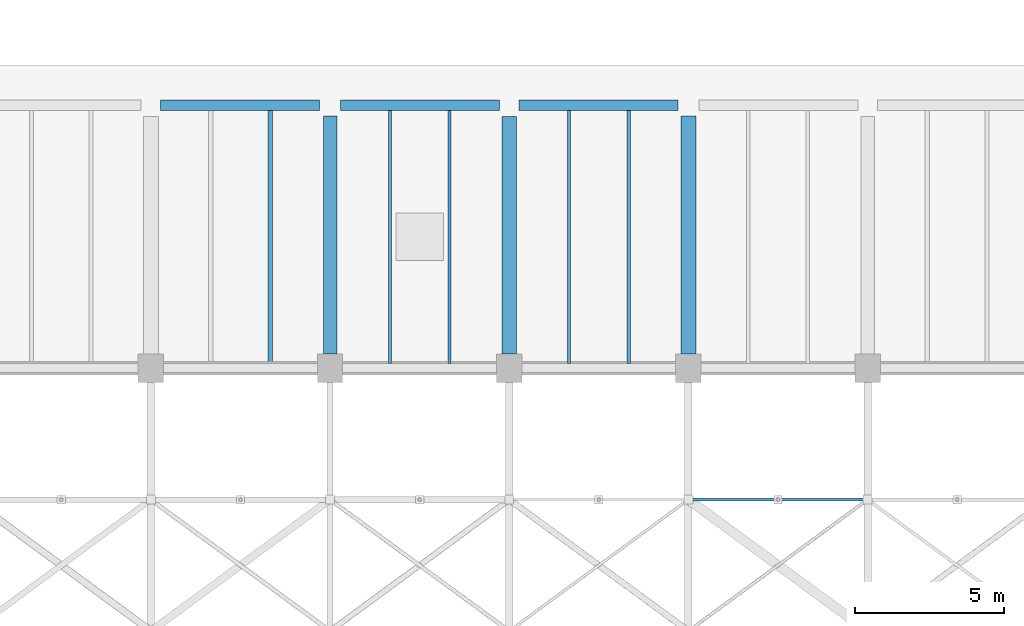
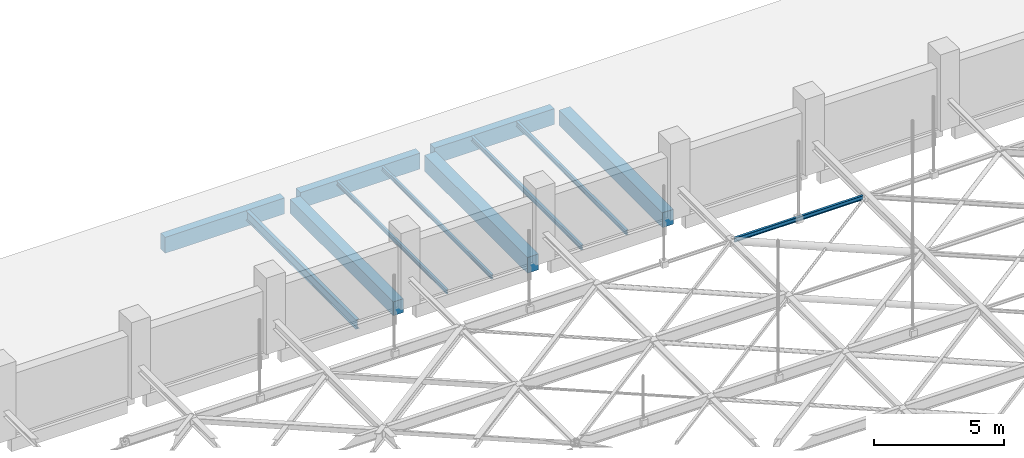
# One storey, part 53 of 93: 12 beams.
"""IFC4 building model written with IfcOpenShell, lengths in metres."""

from ifc_helpers import new_model, si_unit, direction, frame, origin, origin_2d, place, context, subcontext, project, spatial, rectangle, i_section, extrude, material, material_profile, profile_set, type_object, element, save


model = new_model("IFC4")

# Units and contexts
model_context = context("Model", 3, precision=1e-05, world=origin(), true_north=direction((0.0, 1.0)))
body_context = subcontext(model_context, "Body", "Model", "MODEL_VIEW")
ifc_project = project(units=[si_unit("LENGTHUNIT", "METRE"), si_unit("AREAUNIT", "SQUARE_METRE"), si_unit("VOLUMEUNIT", "CUBIC_METRE"), si_unit("PLANEANGLEUNIT", "RADIAN"), si_unit("MASSUNIT", "GRAM", prefix="KILO")], contexts=[model_context])

# Site, building, storey
site_placement = place(None, origin())
site = spatial("IfcSite", under=ifc_project, at=site_placement, CompositionType="ELEMENT")
building_placement = place(site_placement, origin())
building = spatial("IfcBuilding", under=site, at=building_placement, Name="Varnakota Cinema and Media Centre", CompositionType="ELEMENT")
storey_placement = place(building_placement, frame((0.0, 0.0, 12.0)))
storey = spatial("IfcBuildingStorey", under=building, at=storey_placement, Name="L03", CompositionType="ELEMENT", Elevation=12.0)

# Beams
ifc_material_1 = material(Name="Concrete M35", Category="concrete")
ifc_material_profile_1 = material_profile(ifc_material_1, rectangle(XDim=0.449951171875, YDim=0.64990234375, at=origin_2d()), Name="RCB 450x650")
ifc_profile_set_1 = profile_set([ifc_material_profile_1], Name="Concrete M35")
beam_type_1 = type_object("IfcBeamType", Name="BM-RC-450x650", PredefinedType="BEAM", material=ifc_profile_set_1)
beam_1_placement = place(storey_placement, frame((99.0, 35.675048828125, -0.5849609375), z_axis=(0.0, 1.0, 0.0), x_axis=(-1.0, 0.0, 0.0)))
element("IfcBeam", 1, at=beam_1_placement, inside=storey, type_object=beam_type_1, Name="L03 girder P/5-6", PredefinedType="BEAM", context=body_context, shape_type="SweptSolid", body=[
    extrude(rectangle(XDim=0.449951171875, YDim=0.64990234375, at=origin_2d()), origin(), (0.0, 0.0, 1.0), 7.974853515625),
])
ifc_material_2 = material(Name="Concrete M35", Category="concrete")
ifc_material_profile_2 = material_profile(ifc_material_2, rectangle(XDim=0.5, YDim=0.699951171875, at=origin_2d()), Name="RCB 500x700")
ifc_profile_set_2 = profile_set([ifc_material_profile_2], Name="Concrete M35")
beam_type_2 = type_object("IfcBeamType", Name="BM-RC-500x700", PredefinedType="BEAM", material=ifc_profile_set_2)
beam_2_placement = place(storey_placement, frame((111.0, 35.675048828125, -0.610107421875), z_axis=(0.0, 1.0, 0.0), x_axis=(-1.0, 0.0, 0.0)))
element("IfcBeam", 2, at=beam_2_placement, inside=storey, type_object=beam_type_2, Name="L03 girder R/5-6", PredefinedType="BEAM", context=body_context, shape_type="SweptSolid", body=[
    extrude(rectangle(XDim=0.5, YDim=0.699951171875, at=origin_2d()), origin(), (0.0, 0.0, 1.0), 7.974853515625),
])
ifc_material_3 = material(Name="Concrete M35", Category="concrete")
ifc_material_profile_3 = material_profile(ifc_material_3, rectangle(XDim=0.5, YDim=0.75, at=origin_2d()), Name="RCB 500x750")
ifc_profile_set_3 = profile_set([ifc_material_profile_3], Name="Concrete M35")
beam_type_3 = type_object("IfcBeamType", Name="BM-RC-500x750", PredefinedType="BEAM", material=ifc_profile_set_3)
beam_3_placement = place(storey_placement, frame((105.0, 35.675048828125, -0.635009765625), z_axis=(0.0, 1.0, 0.0), x_axis=(-1.0, 0.0, 0.0)))
element("IfcBeam", 3, at=beam_3_placement, inside=storey, type_object=beam_type_3, Name="L03 girder Q/5-6", PredefinedType="BEAM", context=body_context, shape_type="SweptSolid", body=[
    extrude(rectangle(XDim=0.5, YDim=0.75, at=origin_2d()), origin(), (0.0, 0.0, 1.0), 7.949951171875),
])
ifc_material_4 = material(Name="Concrete M40", Category="concrete")
ifc_material_profile_4 = material_profile(ifc_material_4, rectangle(XDim=0.35009765625, YDim=0.75, at=origin_2d()), Name="RCB 350x750")
ifc_profile_set_4 = profile_set([ifc_material_profile_4], Name="Concrete M40")
beam_type_4 = type_object("IfcBeamType", Name="BM-SP-350x750", PredefinedType="SPANDREL", material=ifc_profile_set_4)
for number, where, z_axis, x_axis, name in (
    (4, (93.324951171875, 44.0, -0.635009765625), (1.0, 0.0, 0.0), (0.0, 1.0, 0.0), "L03 girder N-P/6"),
    (5, (99.35009765625, 44.0, -0.635009765625), (1.0, 0.0, 0.0), (0.0, 1.0, 0.0), "L03 girder P-Q/6"),
    (6, (105.324951171875, 44.0, -0.635009765625), (1.0, 0.0, 0.0), (0.0, 1.0, 0.0), "L03 girder Q-R/6"),
):
    element("IfcBeam", number, at=place(storey_placement, frame(where, z_axis=z_axis, x_axis=x_axis)), inside=storey, type_object=beam_type_4, Name=name, PredefinedType="SPANDREL", context=body_context, shape_type="SweptSolid", body=[
        extrude(rectangle(XDim=0.35009765625, YDim=0.75, at=origin_2d()), origin(), (0.0, 0.0, 1.0), 5.324951171875),
    ])
ifc_material_5 = material(Name="Structural steel Grade 350 (E350)", Category="steel")
ifc_material_profile_5 = material_profile(ifc_material_5, i_section(OverallWidth=0.10009765625, OverallDepth=0.199951171875, WebThickness=0.005615234375, FlangeThickness=0.0107421875, FilletRadius=0.010986328125, at=origin_2d()), Name="ISMB 200")
ifc_profile_set_5 = profile_set([ifc_material_profile_5], Name="Structural steel Grade 350 (E350)")
beam_type_5 = type_object("IfcBeamType", Name="BM-ST-ISMB200", PredefinedType="JOIST", material=ifc_profile_set_5)
for number, where, z_axis, x_axis, name in (
    (7, (101.0, 35.35009765625, -0.360107421875), (0.0, 1.0, 0.0), (-1.0, 0.0, 0.0), "L03 steel joist P-Q/5-6 #1"),
    (8, (103.0, 35.35009765625, -0.360107421875), (0.0, 1.0, 0.0), (-1.0, 0.0, 0.0), "L03 steel joist P-Q/5-6 #2"),
):
    element("IfcBeam", number, at=place(storey_placement, frame(where, z_axis=z_axis, x_axis=x_axis)), inside=storey, type_object=beam_type_5, Name=name, PredefinedType="JOIST", context=body_context, shape_type="SweptSolid", body=[
        extrude(i_section(OverallWidth=0.10009765625, OverallDepth=0.199951171875, WebThickness=0.005615234375, FlangeThickness=0.0107421875, FilletRadius=0.010986328125, at=origin_2d()), origin(), (0.0, 0.0, 1.0), 8.474853515625),
    ])
beam_4_placement = place(storey_placement, frame((111.139892578125, 30.800048828125, 1.300048828125), z_axis=(1.0, 0.0, 0.0), x_axis=(0.0, 1.0, 0.0)))
element("IfcBeam", 9, at=beam_4_placement, inside=storey, type_object=beam_type_5, Name="V1 rigging beam 7.7", PredefinedType="JOIST", context=body_context, shape_type="SweptSolid", body=[
    extrude(i_section(OverallWidth=0.10009765625, OverallDepth=0.199951171875, WebThickness=0.005615234375, FlangeThickness=0.0107421875, FilletRadius=0.010986328125, at=origin_2d()), origin(), (0.0, 0.0, 1.0), 5.72021484375),
])
ifc_material_6 = material(Name="Structural steel Grade 350 (E350)", Category="steel")
ifc_material_profile_6 = material_profile(ifc_material_6, i_section(OverallWidth=0.110107421875, OverallDepth=0.22509765625, WebThickness=0.006591796875, FlangeThickness=0.01171875, FilletRadius=0.011962890625, at=origin_2d()), Name="ISMB 225")
ifc_profile_set_6 = profile_set([ifc_material_profile_6], Name="Structural steel Grade 350 (E350)")
beam_type_6 = type_object("IfcBeamType", Name="BM-ST-ISMB225", PredefinedType="JOIST", material=ifc_profile_set_6)
for number, where, z_axis, x_axis, name in (
    (10, (107.0, 35.35009765625, -0.37255859375), (0.0, 1.0, 0.0), (-1.0, 0.0, 0.0), "L03 steel joist Q-R/5-6 #1"),
    (11, (109.0, 35.35009765625, -0.37255859375), (0.0, 1.0, 0.0), (-1.0, 0.0, 0.0), "L03 steel joist Q-R/5-6 #2"),
):
    element("IfcBeam", number, at=place(storey_placement, frame(where, z_axis=z_axis, x_axis=x_axis)), inside=storey, type_object=beam_type_6, Name=name, PredefinedType="JOIST", context=body_context, shape_type="SweptSolid", body=[
        extrude(i_section(OverallWidth=0.110107421875, OverallDepth=0.22509765625, WebThickness=0.006591796875, FlangeThickness=0.01171875, FilletRadius=0.011962890625, at=origin_2d()), origin(), (0.0, 0.0, 1.0), 8.474853515625),
    ])
ifc_material_7 = material(Name="Structural steel Grade 350 (E350)", Category="steel")
ifc_material_profile_7 = material_profile(ifc_material_7, i_section(OverallWidth=0.14990234375, OverallDepth=0.449951171875, WebThickness=0.009521484375, FlangeThickness=0.017333984375, FilletRadius=0.014892578125, at=origin_2d()), Name="ISMB 450")
ifc_profile_set_7 = profile_set([ifc_material_profile_7], Name="Structural steel Grade 350 (E350)")
beam_type_7 = type_object("IfcBeamType", Name="BM-ST-ISMB450", PredefinedType="BEAM", material=ifc_profile_set_7)
beam_5_placement = place(storey_placement, frame((97.0, 35.35009765625, -0.485107421875), z_axis=(0.0, 1.0, 0.0), x_axis=(-1.0, 0.0, 0.0)))
element("IfcBeam", 12, at=beam_5_placement, inside=storey, type_object=beam_type_7, Name="L03 steel joist N-P/5-6 #2", PredefinedType="BEAM", context=body_context, shape_type="SweptSolid", body=[
    extrude(i_section(OverallWidth=0.14990234375, OverallDepth=0.449951171875, WebThickness=0.009521484375, FlangeThickness=0.017333984375, FilletRadius=0.014892578125, at=origin_2d()), origin(), (0.0, 0.0, 1.0), 8.474853515625),
])

save(model, "model.ifc")
